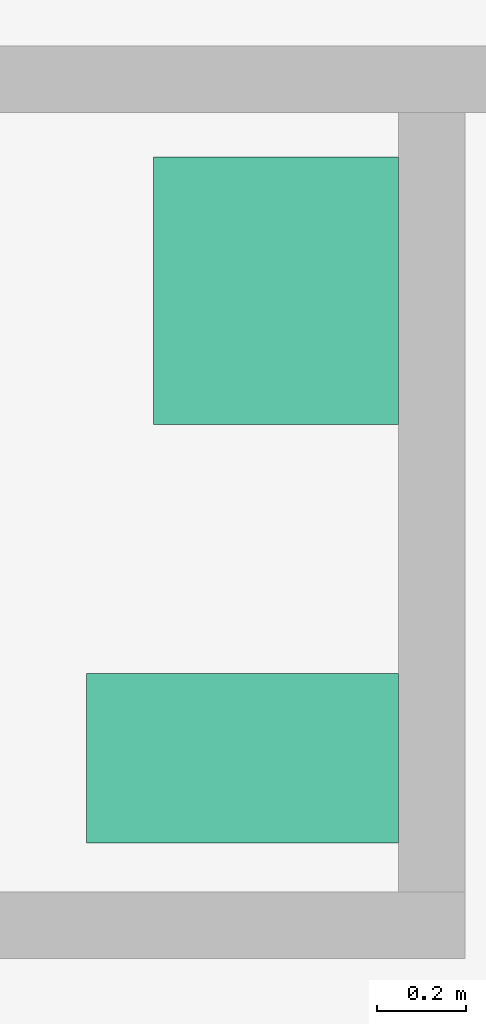
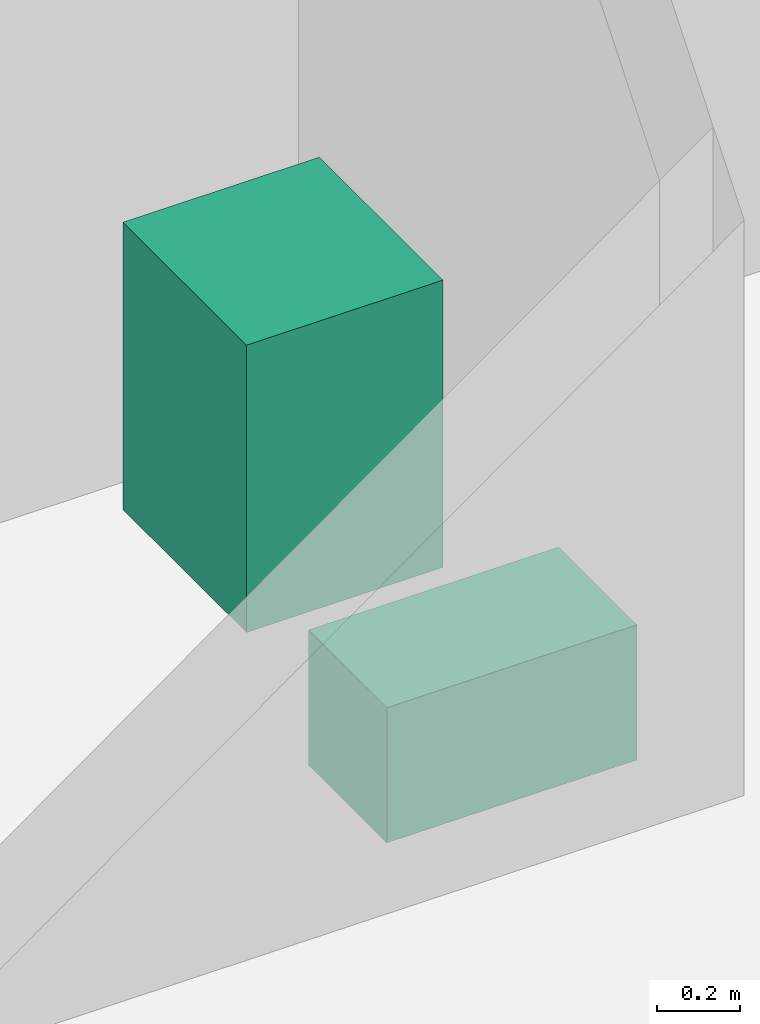
# One storey, part 12 of 12: 2 sanitary terminals.
"""IFC4 building model written with IfcOpenShell, lengths in metres."""

from ifc_helpers import new_model, si_unit, direction, frame, origin, origin_2d, place, context, subcontext, project, spatial, rectangle, extrude, material, element, save


model = new_model("IFC4")

# Units and contexts
model_context = context("Model", 3, precision=1e-05, world=origin(), true_north=direction((0.0, 1.0)))
body_context = subcontext(model_context, "Body", "Model", "MODEL_VIEW")
ifc_project = project(units=[si_unit("LENGTHUNIT", "METRE"), si_unit("AREAUNIT", "SQUARE_METRE"), si_unit("VOLUMEUNIT", "CUBIC_METRE"), si_unit("PLANEANGLEUNIT", "RADIAN"), si_unit("MASSUNIT", "GRAM", prefix="KILO")], contexts=[model_context])

# Site, building, storey
site_placement = place(None, origin())
site = spatial("IfcSite", under=ifc_project, at=site_placement, CompositionType="ELEMENT")
building_placement = place(site_placement, origin())
building = spatial("IfcBuilding", under=site, at=building_placement, Name="Kopane Lantern Tower", CompositionType="ELEMENT")
storey_placement = place(building_placement, frame((0.0, 0.0, 77.199951171875)))
storey = spatial("IfcBuildingStorey", under=building, at=storey_placement, Name="L19", CompositionType="ELEMENT", Elevation=77.199951171875)

# Sanitary terminals
ifc_material = material(Name="Vitreous china")
sanitary_terminal_1_placement = place(storey_placement, frame((34.14990234375, 27.75, 0.0), z_axis=(0.0, 0.0, 1.0), x_axis=(1.0, 0.0, 0.0)))
element("IfcSanitaryTerminal", 1, at=sanitary_terminal_1_placement, inside=storey, material=ifc_material, Name="WC pan L19", PredefinedType="TOILETPAN", context=body_context, shape_type="SweptSolid", body=[
    extrude(rectangle(XDim=0.699951171875, YDim=0.3798828125, at=origin_2d()), origin(), (0.0, 0.0, 1.0), 0.39990234375),
])
sanitary_terminal_2_placement = place(storey_placement, frame((34.22509765625, 28.800048828125, 0.0), z_axis=(0.0, 0.0, 1.0), x_axis=(1.0, 0.0, 0.0)))
element("IfcSanitaryTerminal", 2, at=sanitary_terminal_2_placement, inside=storey, material=ifc_material, Name="Wash basin L19", PredefinedType="WASHHANDBASIN", context=body_context, shape_type="SweptSolid", body=[
    extrude(rectangle(XDim=0.550048828125, YDim=0.60009765625, at=origin_2d()), origin(), (0.0, 0.0, 1.0), 0.85009765625),
])

save(model, "model.ifc")
